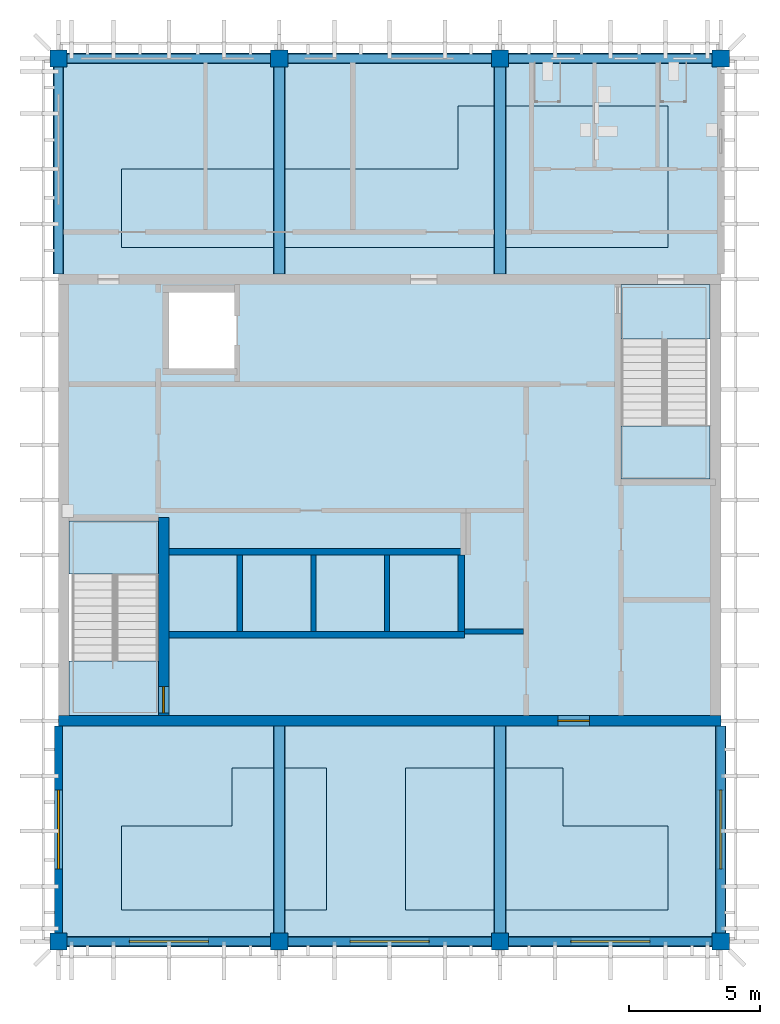
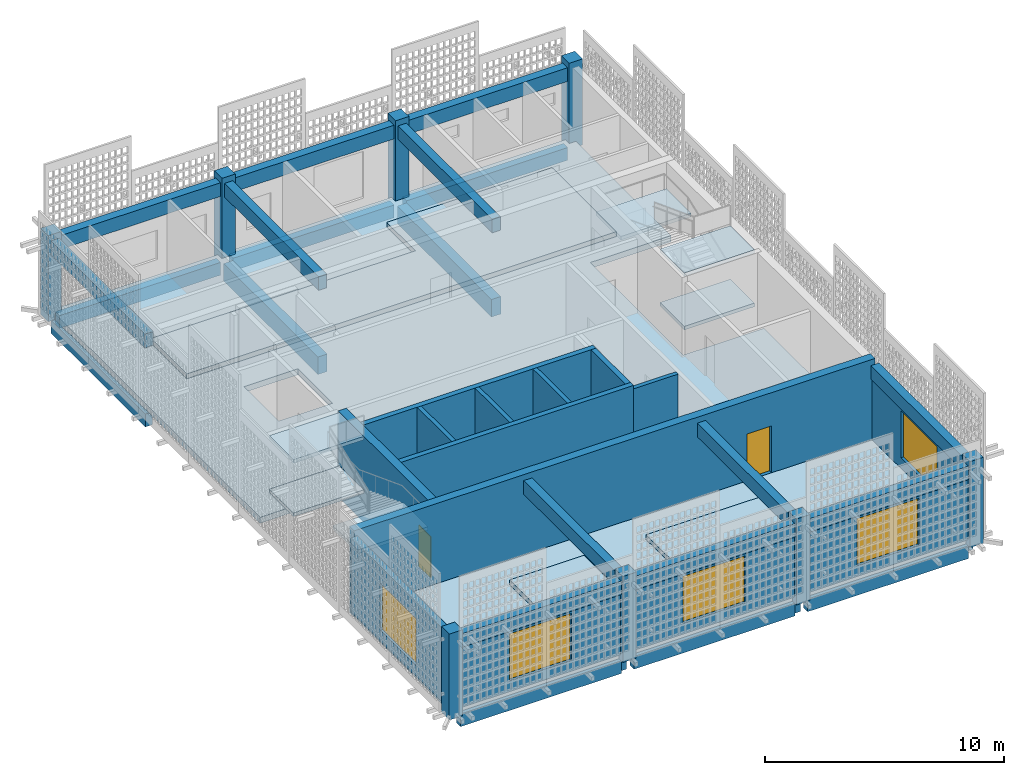
# One storey, part 1 of 23: 24 beams, 14 walls, 10 slabs, 8 columns, 5 windows, 2 doors, 7 openings, 2 elements without a shape of their own.
"""IFC4 building model written with IfcOpenShell, lengths in metres."""

from ifc_helpers import new_model, si_unit, direction, frame, frame_2d, origin, origin_2d, place, context, subcontext, project, spatial, polyline, rectangle, outline, extrude, material, layer, layer_set, material_profile, profile_set, type_object, element, fill, aggregate, save


model = new_model("IFC4")

# Units and contexts
model_context = context("Model", 3, precision=1e-05, world=origin(), true_north=direction((0.0, 1.0)))
body_context = subcontext(model_context, "Body", "Model", "MODEL_VIEW")
ifc_project = project(units=[si_unit("LENGTHUNIT", "METRE"), si_unit("AREAUNIT", "SQUARE_METRE"), si_unit("VOLUMEUNIT", "CUBIC_METRE"), si_unit("PLANEANGLEUNIT", "RADIAN"), si_unit("MASSUNIT", "GRAM", prefix="KILO")], contexts=[model_context])

# Site, building, storey
site_placement = place(None, origin())
site = spatial("IfcSite", under=ifc_project, at=site_placement, CompositionType="ELEMENT")
building_placement = place(site_placement, origin())
building = spatial("IfcBuilding", under=site, at=building_placement, Name="Rulbaag Community and Learning Centre", CompositionType="ELEMENT")
storey_placement = place(building_placement, frame((0.0, 0.0, 64.800048828125)))
storey = spatial("IfcBuildingStorey", under=building, at=storey_placement, Name="L17", CompositionType="ELEMENT", Elevation=64.800048828125)

# Columns
ifc_material_1 = material(Name="Concrete M40", Category="concrete")
ifc_material_profile_1 = material_profile(ifc_material_1, rectangle(XDim=0.64990234375, YDim=0.64990234375, at=origin_2d()), Name="RC650x650")
ifc_profile_set_1 = profile_set([ifc_material_profile_1], Name="Concrete M40")
column_type = type_object("IfcColumnType", Name="C6 Column 650x650 Concrete M40", PredefinedType="COLUMN", material=ifc_profile_set_1)
for number, where, z_axis, x_axis, name in (
    (1, (142.800048828125, 84.0, -0.300048828125), (0.0, 0.0, 1.0), (1.0, 0.0, 0.0), "COL-18K-L17"),
    (2, (142.800048828125, 117.60009765625, -0.300048828125), (0.0, 0.0, 1.0), (1.0, 0.0, 0.0), "COL-18O-L17"),
    (3, (151.199951171875, 84.0, -0.300048828125), (0.0, 0.0, 1.0), (1.0, 0.0, 0.0), "COL-19K-L17"),
    (4, (151.199951171875, 117.60009765625, -0.300048828125), (0.0, 0.0, 1.0), (1.0, 0.0, 0.0), "COL-19O-L17"),
    (5, (159.60009765625, 84.0, -0.300048828125), (0.0, 0.0, 1.0), (1.0, 0.0, 0.0), "COL-20K-L17"),
    (6, (159.60009765625, 117.60009765625, -0.300048828125), (0.0, 0.0, 1.0), (1.0, 0.0, 0.0), "COL-20O-L17"),
    (7, (168.0, 84.0, -0.300048828125), (0.0, 0.0, 1.0), (1.0, 0.0, 0.0), "COL-21K-L17"),
    (8, (168.0, 117.60009765625, -0.300048828125), (0.0, 0.0, 1.0), (1.0, 0.0, 0.0), "COL-21O-L17"),
):
    element("IfcColumn", number, at=place(storey_placement, frame(where, z_axis=z_axis, x_axis=x_axis)), inside=storey, type_object=column_type, Name=name, PredefinedType="COLUMN", context=body_context, shape_type="SweptSolid", body=[
        extrude(rectangle(XDim=0.64990234375, YDim=0.64990234375, at=origin_2d()), origin(), (0.0, 0.0, 1.0), 4.39990234375),
    ])

# Beams
ifc_material_profile_2 = material_profile(ifc_material_1, rectangle(XDim=0.39990234375, YDim=0.699951171875, at=origin_2d()), Name="RB400x700")
ifc_profile_set_2 = profile_set([ifc_material_profile_2], Name="Concrete M40")
beam_type_1 = type_object("IfcBeamType", Name="B13 Tower floor beam, upper zone 400x700 Concrete M40", PredefinedType="BEAM", material=ifc_profile_set_2)
beam_1_placement = place(storey_placement, frame((143.10498046875, 84.0, 3.449951171875), z_axis=(1.0, 0.0, 0.0), x_axis=(0.0, 1.0, 0.0)))
element("IfcBeam", 9, at=beam_1_placement, inside=storey, type_object=beam_type_1, Name="BM-RF-18K-19K", PredefinedType="BEAM", context=body_context, shape_type="SweptSolid", body=[
    extrude(rectangle(XDim=0.39990234375, YDim=0.699951171875, at=origin_2d()), origin(), (0.0, 0.0, 1.0), 7.7900390625),
])
beam_2_placement = place(storey_placement, frame((142.800048828125, 109.39990234375, 3.449951171875), z_axis=(0.0, 1.0, 0.0), x_axis=(-1.0, 0.0, 0.0)))
element("IfcBeam", 10, at=beam_2_placement, inside=storey, type_object=beam_type_1, Name="BM-RF-18N-18O", PredefinedType="BEAM", context=body_context, shape_type="SweptSolid", body=[
    extrude(rectangle(XDim=0.39990234375, YDim=0.699951171875, at=origin_2d()), origin(), (0.0, 0.0, 1.0), 7.89501953125),
])
for number, where, z_axis, x_axis, name in (
    (11, (143.10498046875, 117.60009765625, 3.449951171875), (1.0, 0.0, 0.0), (0.0, 1.0, 0.0), "BM-RF-18O-19O"),
    (12, (151.5048828125, 84.0, 3.449951171875), (1.0, 0.0, 0.0), (0.0, 1.0, 0.0), "BM-RF-19K-20K"),
):
    element("IfcBeam", number, at=place(storey_placement, frame(where, z_axis=z_axis, x_axis=x_axis)), inside=storey, type_object=beam_type_1, Name=name, PredefinedType="BEAM", context=body_context, shape_type="SweptSolid", body=[
        extrude(rectangle(XDim=0.39990234375, YDim=0.699951171875, at=origin_2d()), origin(), (0.0, 0.0, 1.0), 7.7900390625),
    ])
for number, where, z_axis, x_axis, name in (
    (13, (151.199951171875, 84.304931640625, 3.449951171875), (0.0, 1.0, 0.0), (-1.0, 0.0, 0.0), "BM-RF-19K-19L"),
    (14, (151.199951171875, 109.39990234375, 3.449951171875), (0.0, 1.0, 0.0), (-1.0, 0.0, 0.0), "BM-RF-19N-19O"),
):
    element("IfcBeam", number, at=place(storey_placement, frame(where, z_axis=z_axis, x_axis=x_axis)), inside=storey, type_object=beam_type_1, Name=name, PredefinedType="BEAM", context=body_context, shape_type="SweptSolid", body=[
        extrude(rectangle(XDim=0.39990234375, YDim=0.699951171875, at=origin_2d()), origin(), (0.0, 0.0, 1.0), 7.89501953125),
    ])
for number, where, z_axis, x_axis, name in (
    (15, (151.5048828125, 117.60009765625, 3.449951171875), (1.0, 0.0, 0.0), (0.0, 1.0, 0.0), "BM-RF-19O-20O"),
    (16, (159.905029296875, 84.0, 3.449951171875), (1.0, 0.0, 0.0), (0.0, 1.0, 0.0), "BM-RF-20K-21K"),
):
    element("IfcBeam", number, at=place(storey_placement, frame(where, z_axis=z_axis, x_axis=x_axis)), inside=storey, type_object=beam_type_1, Name=name, PredefinedType="BEAM", context=body_context, shape_type="SweptSolid", body=[
        extrude(rectangle(XDim=0.39990234375, YDim=0.699951171875, at=origin_2d()), origin(), (0.0, 0.0, 1.0), 7.7900390625),
    ])
for number, where, z_axis, x_axis, name in (
    (17, (159.60009765625, 84.304931640625, 3.449951171875), (0.0, 1.0, 0.0), (-1.0, 0.0, 0.0), "BM-RF-20K-20L"),
    (18, (159.60009765625, 109.39990234375, 3.449951171875), (0.0, 1.0, 0.0), (-1.0, 0.0, 0.0), "BM-RF-20N-20O"),
):
    element("IfcBeam", number, at=place(storey_placement, frame(where, z_axis=z_axis, x_axis=x_axis)), inside=storey, type_object=beam_type_1, Name=name, PredefinedType="BEAM", context=body_context, shape_type="SweptSolid", body=[
        extrude(rectangle(XDim=0.39990234375, YDim=0.699951171875, at=origin_2d()), origin(), (0.0, 0.0, 1.0), 7.89501953125),
    ])
beam_3_placement = place(storey_placement, frame((159.905029296875, 117.60009765625, 3.449951171875), z_axis=(1.0, 0.0, 0.0), x_axis=(0.0, 1.0, 0.0)))
element("IfcBeam", 19, at=beam_3_placement, inside=storey, type_object=beam_type_1, Name="BM-RF-20O-21O", PredefinedType="BEAM", context=body_context, shape_type="SweptSolid", body=[
    extrude(rectangle(XDim=0.39990234375, YDim=0.699951171875, at=origin_2d()), origin(), (0.0, 0.0, 1.0), 7.7900390625),
])
beam_4_placement = place(storey_placement, frame((168.0, 84.304931640625, 3.449951171875), z_axis=(0.0, 1.0, 0.0), x_axis=(-1.0, 0.0, 0.0)))
element("IfcBeam", 20, at=beam_4_placement, inside=storey, type_object=beam_type_1, Name="BM-RF-21K-21L", PredefinedType="BEAM", context=body_context, shape_type="SweptSolid", body=[
    extrude(rectangle(XDim=0.39990234375, YDim=0.699951171875, at=origin_2d()), origin(), (0.0, 0.0, 1.0), 7.89501953125),
])
ifc_material_profile_3 = material_profile(ifc_material_1, rectangle(XDim=0.35009765625, YDim=0.64990234375, at=origin_2d()), Name="RB350x650")
ifc_profile_set_3 = profile_set([ifc_material_profile_3], Name="Concrete M40")
beam_type_2 = type_object("IfcBeamType", Name="B14 Tower edge beam, upper zone 350x650 Concrete M40", PredefinedType="BEAM", material=ifc_profile_set_3)
beam_5_placement = place(storey_placement, frame((143.10498046875, 84.0, -0.625), z_axis=(1.0, 0.0, 0.0), x_axis=(0.0, 1.0, 0.0)))
element("IfcBeam", 21, at=beam_5_placement, inside=storey, type_object=beam_type_2, Name="BM-L17-18K-19K", PredefinedType="BEAM", context=body_context, shape_type="SweptSolid", body=[
    extrude(rectangle(XDim=0.35009765625, YDim=0.64990234375, at=origin_2d()), origin(), (0.0, 0.0, 1.0), 7.7900390625),
])
beam_6_placement = place(storey_placement, frame((142.800048828125, 109.39990234375, -0.625), z_axis=(0.0, 1.0, 0.0), x_axis=(-1.0, 0.0, 0.0)))
element("IfcBeam", 22, at=beam_6_placement, inside=storey, type_object=beam_type_2, Name="BM-L17-18N-18O", PredefinedType="BEAM", context=body_context, shape_type="SweptSolid", body=[
    extrude(rectangle(XDim=0.35009765625, YDim=0.64990234375, at=origin_2d()), origin(), (0.0, 0.0, 1.0), 7.89501953125),
])
for number, where, z_axis, x_axis, name in (
    (23, (143.10498046875, 117.60009765625, -0.625), (1.0, 0.0, 0.0), (0.0, 1.0, 0.0), "BM-L17-18O-19O"),
    (24, (151.5048828125, 84.0, -0.625), (1.0, 0.0, 0.0), (0.0, 1.0, 0.0), "BM-L17-19K-20K"),
    (25, (151.5048828125, 117.60009765625, -0.625), (1.0, 0.0, 0.0), (0.0, 1.0, 0.0), "BM-L17-19O-20O"),
    (26, (159.905029296875, 84.0, -0.625), (1.0, 0.0, 0.0), (0.0, 1.0, 0.0), "BM-L17-20K-21K"),
    (27, (159.905029296875, 117.60009765625, -0.625), (1.0, 0.0, 0.0), (0.0, 1.0, 0.0), "BM-L17-20O-21O"),
):
    element("IfcBeam", number, at=place(storey_placement, frame(where, z_axis=z_axis, x_axis=x_axis)), inside=storey, type_object=beam_type_2, Name=name, PredefinedType="BEAM", context=body_context, shape_type="SweptSolid", body=[
        extrude(rectangle(XDim=0.35009765625, YDim=0.64990234375, at=origin_2d()), origin(), (0.0, 0.0, 1.0), 7.7900390625),
    ])
beam_7_placement = place(storey_placement, frame((168.0, 84.304931640625, -0.625), z_axis=(0.0, 1.0, 0.0), x_axis=(-1.0, 0.0, 0.0)))
element("IfcBeam", 28, at=beam_7_placement, inside=storey, type_object=beam_type_2, Name="BM-L17-21K-21L", PredefinedType="BEAM", context=body_context, shape_type="SweptSolid", body=[
    extrude(rectangle(XDim=0.35009765625, YDim=0.64990234375, at=origin_2d()), origin(), (0.0, 0.0, 1.0), 7.89501953125),
])
ifc_material_profile_4 = material_profile(ifc_material_1, rectangle(XDim=0.449951171875, YDim=0.89990234375, at=origin_2d()), Name="RB450x900")
ifc_profile_set_4 = profile_set([ifc_material_profile_4], Name="Concrete M40")
beam_type_3 = type_object("IfcBeamType", Name="B23 Plant floor beam 450x900 Concrete M40", PredefinedType="BEAM", material=ifc_profile_set_4)
for number, where, z_axis, x_axis, name in (
    (29, (151.199951171875, 84.304931640625, -0.75), (0.0, 1.0, 0.0), (-1.0, 0.0, 0.0), "BM-L17-19K-19L"),
    (30, (151.199951171875, 109.39990234375, -0.75), (0.0, 1.0, 0.0), (-1.0, 0.0, 0.0), "BM-L17-19N-19O"),
    (31, (159.60009765625, 84.304931640625, -0.75), (0.0, 1.0, 0.0), (-1.0, 0.0, 0.0), "BM-L17-20K-20L"),
    (32, (159.60009765625, 109.39990234375, -0.75), (0.0, 1.0, 0.0), (-1.0, 0.0, 0.0), "BM-L17-20N-20O"),
):
    element("IfcBeam", number, at=place(storey_placement, frame(where, z_axis=z_axis, x_axis=x_axis)), inside=storey, type_object=beam_type_3, Name=name, PredefinedType="BEAM", context=body_context, shape_type="SweptSolid", body=[
        extrude(rectangle(XDim=0.449951171875, YDim=0.89990234375, at=origin_2d()), origin(), (0.0, 0.0, 1.0), 7.89501953125),
    ])

# Stair, slabs
stair_type = type_object("IfcStairType", Name="ST-1650 STAIR 1650 WIDE", PredefinedType="HALF_TURN_STAIR", material=ifc_material_1)
stair_1_placement = place(storey_placement, origin())
stair_1 = element("IfcStair", 33, at=stair_1_placement, inside=storey, type_object=stair_type, Name="Stair ST1 L17", PredefinedType="HALF_TURN_STAIR")
ifc_layer_1 = layer(ifc_material_1, 0.179931640625)
ifc_layer_set_1 = layer_set([ifc_layer_1], Name="LN-180 LANDING 180 Concrete M40")
slab_type_1 = type_object("IfcSlabType", Name="LN-180 LANDING 180 Concrete M40", PredefinedType="LANDING", material=ifc_layer_set_1)
slab_1_placement = place(storey_placement, frame((0.0, 0.0, 1.186767578125)))
slab_1 = element("IfcSlab", 34, at=slab_1_placement, type_object=slab_type_1, Name="ST1 landing 1", PredefinedType="LANDING", context=body_context, shape_type="SweptSolid", body=[
    extrude(outline(polyline([(143.199951171875, 97.97509765625), (143.199951171875, 100.0), (146.60009765625, 100.0), (146.60009765625, 97.97509765625), (143.199951171875, 97.97509765625)])), origin(), (0.0, 0.0, 1.0), 0.179931640625),
])
slab_2_placement = place(storey_placement, frame((0.0, 0.0, 2.55322265625)))
slab_2 = element("IfcSlab", 35, at=slab_2_placement, type_object=slab_type_1, Name="ST1 landing 2", PredefinedType="LANDING", context=body_context, shape_type="SweptSolid", body=[
    extrude(outline(polyline([(143.199951171875, 92.60009765625), (143.199951171875, 94.675048828125), (146.60009765625, 94.675048828125), (146.60009765625, 92.60009765625), (143.199951171875, 92.60009765625)])), origin(), (0.0, 0.0, 1.0), 0.179931640625),
])
slab_3_placement = place(storey_placement, frame((0.0, 0.0, 3.919921875)))
slab_3 = element("IfcSlab", 36, at=slab_3_placement, type_object=slab_type_1, Name="ST1 landing 3", PredefinedType="LANDING", context=body_context, shape_type="SweptSolid", body=[
    extrude(outline(polyline([(143.199951171875, 97.97509765625), (143.199951171875, 100.0), (146.60009765625, 100.0), (146.60009765625, 97.97509765625), (143.199951171875, 97.97509765625)])), origin(), (0.0, 0.0, 1.0), 0.179931640625),
])
aggregate(stair_1, [slab_1, slab_2, slab_3])

stair_2_placement = place(storey_placement, origin())
stair_2 = element("IfcStair", 37, at=stair_2_placement, inside=storey, type_object=stair_type, Name="Stair ST2 L17", PredefinedType="HALF_TURN_STAIR")
slab_4_placement = place(storey_placement, frame((0.0, 0.0, 1.186767578125)))
slab_4 = element("IfcSlab", 38, at=slab_4_placement, type_object=slab_type_1, Name="ST2 landing 1", PredefinedType="LANDING", context=body_context, shape_type="SweptSolid", body=[
    extrude(outline(polyline([(164.199951171875, 101.60009765625), (164.199951171875, 103.625), (167.60009765625, 103.625), (167.60009765625, 101.60009765625), (164.199951171875, 101.60009765625)])), origin(), (0.0, 0.0, 1.0), 0.179931640625),
])
slab_5_placement = place(storey_placement, frame((0.0, 0.0, 2.55322265625)))
slab_5 = element("IfcSlab", 39, at=slab_5_placement, type_object=slab_type_1, Name="ST2 landing 2", PredefinedType="LANDING", context=body_context, shape_type="SweptSolid", body=[
    extrude(outline(polyline([(164.199951171875, 106.925048828125), (164.199951171875, 109.0), (167.60009765625, 109.0), (167.60009765625, 106.925048828125), (164.199951171875, 106.925048828125)])), origin(), (0.0, 0.0, 1.0), 0.179931640625),
])
slab_6_placement = place(storey_placement, frame((0.0, 0.0, 3.919921875)))
slab_6 = element("IfcSlab", 40, at=slab_6_placement, type_object=slab_type_1, Name="ST2 landing 3", PredefinedType="LANDING", context=body_context, shape_type="SweptSolid", body=[
    extrude(outline(polyline([(164.199951171875, 101.60009765625), (164.199951171875, 103.625), (167.60009765625, 103.625), (167.60009765625, 101.60009765625), (164.199951171875, 101.60009765625)])), origin(), (0.0, 0.0, 1.0), 0.179931640625),
])
aggregate(stair_2, [slab_4, slab_5, slab_6])

# Slabs
ifc_layer_2 = layer(ifc_material_1, 0.25)
ifc_layer_set_2 = layer_set([ifc_layer_2], Name="S16 Equipment plinth 250 Concrete M40")
slab_type_2 = type_object("IfcSlabType", Name="S16 Equipment plinth 250 Concrete M40", PredefinedType="USERDEFINED", material=ifc_layer_set_2)
slab_7_placement = place(storey_placement, origin())
element("IfcSlab", 41, at=slab_7_placement, inside=storey, type_object=slab_type_2, Name="SL-PLINTH-CHILLER-1", ObjectType="RAISED PLATFORM", PredefinedType="USERDEFINED", context=body_context, shape_type="SweptSolid", body=[
    extrude(outline(polyline([(145.199951171875, 85.199951171875), (153.0, 85.199951171875), (153.0, 90.60009765625), (149.39990234375, 90.60009765625), (149.39990234375, 88.39990234375), (145.199951171875, 88.39990234375), (145.199951171875, 85.199951171875)])), origin(), (0.0, 0.0, 1.0), 0.25),
])
slab_8_placement = place(storey_placement, origin())
element("IfcSlab", 42, at=slab_8_placement, inside=storey, type_object=slab_type_2, Name="SL-PLINTH-CHILLER-2", ObjectType="RAISED PLATFORM", PredefinedType="USERDEFINED", context=body_context, shape_type="SweptSolid", body=[
    extrude(outline(polyline([(156.0, 85.199951171875), (166.0, 85.199951171875), (166.0, 88.39990234375), (162.0, 88.39990234375), (162.0, 90.60009765625), (156.0, 90.60009765625), (156.0, 85.199951171875)])), origin(), (0.0, 0.0, 1.0), 0.25),
])
slab_9_placement = place(storey_placement, origin())
element("IfcSlab", 43, at=slab_9_placement, inside=storey, type_object=slab_type_2, Name="SL-PLINTH-TANK", ObjectType="RAISED PLATFORM", PredefinedType="USERDEFINED", context=body_context, shape_type="SweptSolid", body=[
    extrude(outline(polyline([(145.199951171875, 110.39990234375), (166.0, 110.39990234375), (166.0, 115.800048828125), (158.0, 115.800048828125), (158.0, 113.39990234375), (145.199951171875, 113.39990234375), (145.199951171875, 110.39990234375)])), origin(), (0.0, 0.0, 1.0), 0.25),
])
ifc_layer_3 = layer(ifc_material_1, 0.300048828125)
ifc_layer_set_3 = layer_set([ifc_layer_3], Name="S5 Floor slab 300 Concrete M40")
slab_type_3 = type_object("IfcSlabType", Name="S5 Floor slab 300 Concrete M40", PredefinedType="FLOOR", material=ifc_layer_set_3)
slab_10_placement = place(storey_placement, frame((0.0, 0.0, -0.300048828125)))
element("IfcSlab", 44, at=slab_10_placement, inside=storey, type_object=slab_type_3, Name="SL-L17-B01", PredefinedType="FLOOR", context=body_context, shape_type="SweptSolid", body=[
    extrude(outline(polyline([(168.0, 84.0), (142.800048828125, 84.0), (142.800048828125, 92.300048828125), (146.699951171875, 92.300048828125), (146.699951171875, 100.10009765625), (142.800048828125, 100.10009765625), (142.800048828125, 117.60009765625), (168.0, 117.60009765625), (168.0, 109.300048828125), (164.10009765625, 109.300048828125), (164.10009765625, 101.5), (168.0, 101.5), (168.0, 84.0)]), holes=[polyline([(147.0, 105.800048828125), (149.60009765625, 105.800048828125), (149.60009765625, 108.699951171875), (147.0, 108.699951171875), (147.0, 105.800048828125)])]), origin(), (0.0, 0.0, 1.0), 0.300048828125),
])

# Wall, opening, window
ifc_layer_4 = layer(ifc_material_1, 0.300048828125)
ifc_layer_set_4 = layer_set([ifc_layer_4], Name="EW-CONC300-120")
wall_type_1 = type_object("IfcWallType", Name="EW-CONC300-120", PredefinedType="STANDARD", material=ifc_layer_set_4)
wall_1_placement = place(storey_placement, frame((143.125, 84.0, 0.0), z_axis=(0.0, 0.0, 1.0), x_axis=(1.0, 0.0, 0.0)))
wall_1 = element("IfcWall", 45, at=wall_1_placement, inside=storey, type_object=wall_type_1, Name="Board-marked concrete cladding wall BS", PredefinedType="STANDARD", context=body_context, shape_type="SweptSolid", body=[
    extrude(rectangle(XDim=7.75, YDim=0.300048828125, at=frame_2d((3.875, 0.0))), origin(), (0.0, 0.0, 1.0), 3.099853515625),
])
opening_1_placement = place(wall_1_placement, frame((2.375, 0.0, 0.550048828125)))
opening_1 = element("IfcOpeningElement", 46, at=opening_1_placement, cuts=wall_1, Name="Opening WN9", PredefinedType="OPENING", context=body_context, shape_type="SweptSolid", body=[
    extrude(rectangle(XDim=3.0, YDim=2.39990234375, at=frame_2d((1.5, 1.199951171875))), frame((0.0, 0.159912109375, 0.0), z_axis=(0.0, -1.0, 0.0), x_axis=(1.0, 0.0, 0.0)), (0.0, 0.0, 1.0), 0.320068359375),
])
ifc_material_2 = material(Name="Aluminium", Category="aluminium")
window_type = type_object("IfcWindowType", Name="LV-30", PartitioningType="SINGLE_PANEL", PredefinedType="WINDOW", material=ifc_material_2)
window_1_placement = place(opening_1_placement, origin())
window_1 = element("IfcWindow", 47, at=window_1_placement, inside=storey, type_object=window_type, Name="Window WN9", OverallHeight=2.39990234375, OverallWidth=3.0, PartitioningType="SINGLE_PANEL", PredefinedType="WINDOW", context=body_context, shape_type="SweptSolid", body=[
    extrude(rectangle(XDim=3.0, YDim=2.39990234375, at=frame_2d((1.5, 1.199951171875))), frame((0.0, 0.030029296875, 0.0), z_axis=(0.0, -1.0, 0.0), x_axis=(1.0, 0.0, 0.0)), (0.0, 0.0, 1.0), 0.06005859375),
])
fill(opening_1, window_1)

wall_2_placement = place(storey_placement, frame((151.52490234375, 84.0, 0.0), z_axis=(0.0, 0.0, 1.0), x_axis=(1.0, 0.0, 0.0)))
wall_2 = element("IfcWall", 48, at=wall_2_placement, inside=storey, type_object=wall_type_1, Name="Board-marked concrete cladding wall BS", PredefinedType="STANDARD", context=body_context, shape_type="SweptSolid", body=[
    extrude(rectangle(XDim=7.75, YDim=0.300048828125, at=frame_2d((3.875, 0.0))), origin(), (0.0, 0.0, 1.0), 3.099853515625),
])
opening_2_placement = place(wall_2_placement, frame((2.375, 0.0, 0.550048828125)))
opening_2 = element("IfcOpeningElement", 49, at=opening_2_placement, cuts=wall_2, Name="Opening WN9", PredefinedType="OPENING", context=body_context, shape_type="SweptSolid", body=[
    extrude(rectangle(XDim=3.0, YDim=2.39990234375, at=frame_2d((1.5, 1.199951171875))), frame((0.0, 0.159912109375, 0.0), z_axis=(0.0, -1.0, 0.0), x_axis=(1.0, 0.0, 0.0)), (0.0, 0.0, 1.0), 0.320068359375),
])
window_2_placement = place(opening_2_placement, origin())
window_2 = element("IfcWindow", 50, at=window_2_placement, inside=storey, type_object=window_type, Name="Window WN9", OverallHeight=2.39990234375, OverallWidth=3.0, PartitioningType="SINGLE_PANEL", PredefinedType="WINDOW", context=body_context, shape_type="SweptSolid", body=[
    extrude(rectangle(XDim=3.0, YDim=2.39990234375, at=frame_2d((1.5, 1.199951171875))), frame((0.0, 0.030029296875, 0.0), z_axis=(0.0, -1.0, 0.0), x_axis=(1.0, 0.0, 0.0)), (0.0, 0.0, 1.0), 0.06005859375),
])
fill(opening_2, window_2)

wall_3_placement = place(storey_placement, frame((159.925048828125, 84.0, 0.0), z_axis=(0.0, 0.0, 1.0), x_axis=(1.0, 0.0, 0.0)))
wall_3 = element("IfcWall", 51, at=wall_3_placement, inside=storey, type_object=wall_type_1, Name="Board-marked concrete cladding wall BS", PredefinedType="STANDARD", context=body_context, shape_type="SweptSolid", body=[
    extrude(rectangle(XDim=7.75, YDim=0.300048828125, at=frame_2d((3.875, 0.0))), origin(), (0.0, 0.0, 1.0), 3.099853515625),
])
opening_3_placement = place(wall_3_placement, frame((2.375, 0.0, 0.550048828125)))
opening_3 = element("IfcOpeningElement", 52, at=opening_3_placement, cuts=wall_3, Name="Opening WN9", PredefinedType="OPENING", context=body_context, shape_type="SweptSolid", body=[
    extrude(rectangle(XDim=3.0, YDim=2.39990234375, at=frame_2d((1.5, 1.199951171875))), frame((0.0, 0.159912109375, 0.0), z_axis=(0.0, -1.0, 0.0), x_axis=(1.0, 0.0, 0.0)), (0.0, 0.0, 1.0), 0.320068359375),
])
window_3_placement = place(opening_3_placement, origin())
window_3 = element("IfcWindow", 53, at=window_3_placement, inside=storey, type_object=window_type, Name="Window WN9", OverallHeight=2.39990234375, OverallWidth=3.0, PartitioningType="SINGLE_PANEL", PredefinedType="WINDOW", context=body_context, shape_type="SweptSolid", body=[
    extrude(rectangle(XDim=3.0, YDim=2.39990234375, at=frame_2d((1.5, 1.199951171875))), frame((0.0, 0.030029296875, 0.0), z_axis=(0.0, -1.0, 0.0), x_axis=(1.0, 0.0, 0.0)), (0.0, 0.0, 1.0), 0.06005859375),
])
fill(opening_3, window_3)

wall_4_placement = place(storey_placement, frame((142.800048828125, 84.324951171875, 0.0), z_axis=(0.0, 0.0, 1.0), x_axis=(0.0, 1.0, 0.0)))
wall_4 = element("IfcWall", 54, at=wall_4_placement, inside=storey, type_object=wall_type_1, Name="Board-marked concrete cladding wall BW", PredefinedType="STANDARD", context=body_context, shape_type="SweptSolid", body=[
    extrude(rectangle(XDim=7.875, YDim=0.300048828125, at=frame_2d((3.9375, 0.0))), origin(), (0.0, 0.0, 1.0), 3.800048828125),
])
opening_4_placement = place(wall_4_placement, frame((2.4375, 0.0, 0.550048828125)))
opening_4 = element("IfcOpeningElement", 55, at=opening_4_placement, cuts=wall_4, Name="Opening WN9", PredefinedType="OPENING", context=body_context, shape_type="SweptSolid", body=[
    extrude(rectangle(XDim=3.0, YDim=2.39990234375, at=frame_2d((1.5, 1.199951171875))), frame((0.0, 0.159912109375, 0.0), z_axis=(0.0, -1.0, 0.0), x_axis=(1.0, 0.0, 0.0)), (0.0, 0.0, 1.0), 0.320068359375),
])
window_4_placement = place(opening_4_placement, origin())
window_4 = element("IfcWindow", 56, at=window_4_placement, inside=storey, type_object=window_type, Name="Window WN9", OverallHeight=2.39990234375, OverallWidth=3.0, PartitioningType="SINGLE_PANEL", PredefinedType="WINDOW", context=body_context, shape_type="SweptSolid", body=[
    extrude(rectangle(XDim=3.0, YDim=2.39990234375, at=frame_2d((1.5, 1.199951171875))), frame((0.0, 0.030029296875, 0.0), z_axis=(0.0, -1.0, 0.0), x_axis=(1.0, 0.0, 0.0)), (0.0, 0.0, 1.0), 0.06005859375),
])
fill(opening_4, window_4)

wall_5_placement = place(storey_placement, frame((168.0, 84.324951171875, 0.0), z_axis=(0.0, 0.0, 1.0), x_axis=(0.0, 1.0, 0.0)))
wall_5 = element("IfcWall", 57, at=wall_5_placement, inside=storey, type_object=wall_type_1, Name="Board-marked concrete cladding wall BE", PredefinedType="STANDARD", context=body_context, shape_type="SweptSolid", body=[
    extrude(rectangle(XDim=7.875, YDim=0.300048828125, at=frame_2d((3.9375, 0.0))), origin(), (0.0, 0.0, 1.0), 3.099853515625),
])
opening_5_placement = place(wall_5_placement, frame((2.4375, 0.0, 0.550048828125)))
opening_5 = element("IfcOpeningElement", 58, at=opening_5_placement, cuts=wall_5, Name="Opening WN9", PredefinedType="OPENING", context=body_context, shape_type="SweptSolid", body=[
    extrude(rectangle(XDim=3.0, YDim=2.39990234375, at=frame_2d((1.5, 1.199951171875))), frame((0.0, 0.159912109375, 0.0), z_axis=(0.0, -1.0, 0.0), x_axis=(1.0, 0.0, 0.0)), (0.0, 0.0, 1.0), 0.320068359375),
])
window_5_placement = place(opening_5_placement, origin())
window_5 = element("IfcWindow", 59, at=window_5_placement, inside=storey, type_object=window_type, Name="Window WN9", OverallHeight=2.39990234375, OverallWidth=3.0, PartitioningType="SINGLE_PANEL", PredefinedType="WINDOW", context=body_context, shape_type="SweptSolid", body=[
    extrude(rectangle(XDim=3.0, YDim=2.39990234375, at=frame_2d((1.5, 1.199951171875))), frame((0.0, 0.030029296875, 0.0), z_axis=(0.0, -1.0, 0.0), x_axis=(1.0, 0.0, 0.0)), (0.0, 0.0, 1.0), 0.06005859375),
])
fill(opening_5, window_5)

# Wall
ifc_material_3 = material(Name="Concrete blockwork", Category="masonry")
ifc_layer_5 = layer(ifc_material_3, 0.199951171875)
ifc_layer_set_5 = layer_set([ifc_layer_5], Name="FW-200 FIRE WALL 200")
wall_type_2 = type_object("IfcWallType", Name="FW-200 FIRE WALL 200", PredefinedType="SOLIDWALL", material=ifc_layer_set_5)
wall_6_placement = place(storey_placement, frame((158.25, 95.800048828125, 0.0), z_axis=(0.0, 0.0, 1.0), x_axis=(1.0, 0.0, 0.0)))
element("IfcWall", 60, at=wall_6_placement, inside=storey, type_object=wall_type_2, Name="Fire wall L17 2", PredefinedType="SOLIDWALL", context=body_context, shape_type="SweptSolid", body=[
    extrude(rectangle(XDim=2.25, YDim=0.199951171875, at=frame_2d((1.125, 0.0))), origin(), (0.0, 0.0, 1.0), 3.800048828125),
])

# Wall, opening, door
ifc_material_4 = material(Name="Concrete M60", Category="concrete")
ifc_layer_6 = layer(ifc_material_4, 0.39990234375)
ifc_layer_set_6 = layer_set([ifc_layer_6], Name="W2 Core wall 400 Concrete M60")
wall_type_3 = type_object("IfcWallType", Name="W2 Core wall 400 Concrete M60", PredefinedType="SHEAR", material=ifc_layer_set_6)
wall_7_placement = place(storey_placement, frame((142.800048828125, 92.39990234375, -0.300048828125), z_axis=(0.0, 0.0, 1.0), x_axis=(1.0, 0.0, 0.0)))
wall_7 = element("IfcWall", 61, at=wall_7_placement, inside=storey, type_object=wall_type_3, Name="WL-CORE-S-L17", PredefinedType="SHEAR", context=body_context, shape_type="SweptSolid", body=[
    extrude(rectangle(XDim=25.199951171875, YDim=0.39990234375, at=frame_2d((12.60009765625, 0.0))), origin(), (0.0, 0.0, 1.0), 4.39990234375),
])
opening_6_placement = place(wall_7_placement, frame((19.0, 0.0, 0.300048828125)))
opening_6 = element("IfcOpeningElement", 62, at=opening_6_placement, cuts=wall_7, Name="Opening L17-D015", PredefinedType="OPENING", context=body_context, shape_type="SweptSolid", body=[
    extrude(rectangle(XDim=1.199951171875, YDim=2.39990234375, at=frame_2d((0.60009765625, 1.199951171875))), frame((0.0, 0.2099609375, 0.0), z_axis=(0.0, -1.0, 0.0), x_axis=(1.0, 0.0, 0.0)), (0.0, 0.0, 1.0), 0.419921875),
])
ifc_material_5 = material(Name="Galvanised steel", Category="steel")
door_type_1 = type_object("IfcDoorType", Name="DP-1200 PLANT ROOM DOOR 1200 x 2400", OperationType="SINGLE_SWING_LEFT", PredefinedType="DOOR", material=ifc_material_5)
door_1_placement = place(opening_6_placement, origin())
door_1 = element("IfcDoor", 63, at=door_1_placement, inside=storey, type_object=door_type_1, Name="Door L17-D015", OperationType="SINGLE_SWING_LEFT", OverallHeight=2.39990234375, OverallWidth=1.199951171875, PredefinedType="DOOR", context=body_context, shape_type="SweptSolid", body=[
    extrude(rectangle(XDim=1.199951171875, YDim=2.39990234375, at=frame_2d((0.60009765625, 1.199951171875))), frame((0.0, 0.02490234375, 0.0), z_axis=(0.0, -1.0, 0.0), x_axis=(1.0, 0.0, 0.0)), (0.0, 0.0, 1.0), 0.050048828125),
])
fill(opening_6, door_1)

# Walls
ifc_layer_7 = layer(ifc_material_1, 0.25)
ifc_layer_set_7 = layer_set([ifc_layer_7], Name="W5 Shaft wall 250 Concrete M40")
wall_type_4 = type_object("IfcWallType", Name="W5 Shaft wall 250 Concrete M40", PredefinedType="SHEAR", material=ifc_layer_set_7)
for number, where, z_axis, x_axis, name in (
    (64, (147.0, 95.675048828125, -0.300048828125), (0.0, 0.0, 1.0), (1.0, 0.0, 0.0), "WL-LP-S-L17"),
    (65, (147.0, 98.824951171875, -0.300048828125), (0.0, 0.0, 1.0), (1.0, 0.0, 0.0), "WL-LP-N-L17"),
):
    element("IfcWall", number, at=place(storey_placement, frame(where, z_axis=z_axis, x_axis=x_axis)), inside=storey, type_object=wall_type_4, Name=name, PredefinedType="SHEAR", context=body_context, shape_type="SweptSolid", body=[
        extrude(rectangle(XDim=11.25, YDim=0.25, at=frame_2d((5.625, 0.0))), origin(), (0.0, 0.0, 1.0), 4.39990234375),
    ])
wall_8_placement = place(storey_placement, frame((158.125, 95.800048828125, -0.300048828125), z_axis=(0.0, 0.0, 1.0), x_axis=(0.0, 1.0, 0.0)))
element("IfcWall", 66, at=wall_8_placement, inside=storey, type_object=wall_type_4, Name="WL-LP-E-L17", PredefinedType="SHEAR", context=body_context, shape_type="SweptSolid", body=[
    extrude(rectangle(XDim=2.89990234375, YDim=0.25, at=frame_2d((1.449951171875, 0.0))), origin(), (0.0, 0.0, 1.0), 4.39990234375),
])
ifc_layer_8 = layer(ifc_material_1, 0.199951171875)
ifc_layer_set_8 = layer_set([ifc_layer_8], Name="W6 Shaft divider 200 Concrete M40")
wall_type_5 = type_object("IfcWallType", Name="W6 Shaft divider 200 Concrete M40", PredefinedType="SHEAR", material=ifc_layer_set_8)
for number, where, z_axis, x_axis, name in (
    (67, (149.699951171875, 95.800048828125, -0.300048828125), (0.0, 0.0, 1.0), (0.0, 1.0, 0.0), "WL-LP-D1-L17"),
    (68, (152.5, 95.800048828125, -0.300048828125), (0.0, 0.0, 1.0), (0.0, 1.0, 0.0), "WL-LP-D2-L17"),
    (69, (155.300048828125, 95.800048828125, -0.300048828125), (0.0, 0.0, 1.0), (0.0, 1.0, 0.0), "WL-LP-D3-L17"),
):
    element("IfcWall", number, at=place(storey_placement, frame(where, z_axis=z_axis, x_axis=x_axis)), inside=storey, type_object=wall_type_5, Name=name, PredefinedType="SHEAR", context=body_context, shape_type="SweptSolid", body=[
        extrude(rectangle(XDim=2.89990234375, YDim=0.199951171875, at=frame_2d((1.449951171875, 0.0))), origin(), (0.0, 0.0, 1.0), 4.39990234375),
    ])

# Wall, opening, door
ifc_layer_9 = layer(ifc_material_1, 0.39990234375)
ifc_layer_set_9 = layer_set([ifc_layer_9], Name="W7 Stair wall 400 Concrete M40")
wall_type_6 = type_object("IfcWallType", Name="W7 Stair wall 400 Concrete M40", PredefinedType="SHEAR", material=ifc_layer_set_9)
wall_9_placement = place(storey_placement, frame((146.800048828125, 92.60009765625, -0.300048828125), z_axis=(0.0, 0.0, 1.0), x_axis=(0.0, 1.0, 0.0)))
wall_9 = element("IfcWall", 70, at=wall_9_placement, inside=storey, type_object=wall_type_6, Name="WL-ST1-E-L17", PredefinedType="SHEAR", context=body_context, shape_type="SweptSolid", body=[
    extrude(rectangle(XDim=7.52490234375, YDim=0.39990234375, at=frame_2d((3.762451171875, 0.0))), origin(), (0.0, 0.0, 1.0), 4.39990234375),
])
opening_7_placement = place(wall_9_placement, frame((0.10009765625, 0.0, 0.300048828125)))
opening_7 = element("IfcOpeningElement", 71, at=opening_7_placement, cuts=wall_9, Name="Opening L17-D004", PredefinedType="OPENING", context=body_context, shape_type="SweptSolid", body=[
    extrude(rectangle(XDim=1.0, YDim=2.10009765625, at=frame_2d((0.5, 1.050048828125))), frame((0.0, 0.2099609375, 0.0), z_axis=(0.0, -1.0, 0.0), x_axis=(1.0, 0.0, 0.0)), (0.0, 0.0, 1.0), 0.419921875),
])
door_type_2 = type_object("IfcDoorType", Name="FD-1000 FIRE DOOR 1000 x 2100", OperationType="SINGLE_SWING_LEFT", PredefinedType="DOOR", material=ifc_material_5)
door_2_placement = place(opening_7_placement, origin())
door_2 = element("IfcDoor", 72, at=door_2_placement, inside=storey, type_object=door_type_2, Name="Door L17-D004", OperationType="SINGLE_SWING_RIGHT", OverallHeight=2.10009765625, OverallWidth=1.0, PredefinedType="DOOR", context=body_context, shape_type="SweptSolid", body=[
    extrude(rectangle(XDim=1.0, YDim=2.10009765625, at=frame_2d((0.5, 1.050048828125))), frame((0.0, 0.02490234375, 0.0), z_axis=(0.0, -1.0, 0.0), x_axis=(1.0, 0.0, 0.0)), (0.0, 0.0, 1.0), 0.050048828125),
])
fill(opening_7, door_2)

save(model, "model.ifc")
